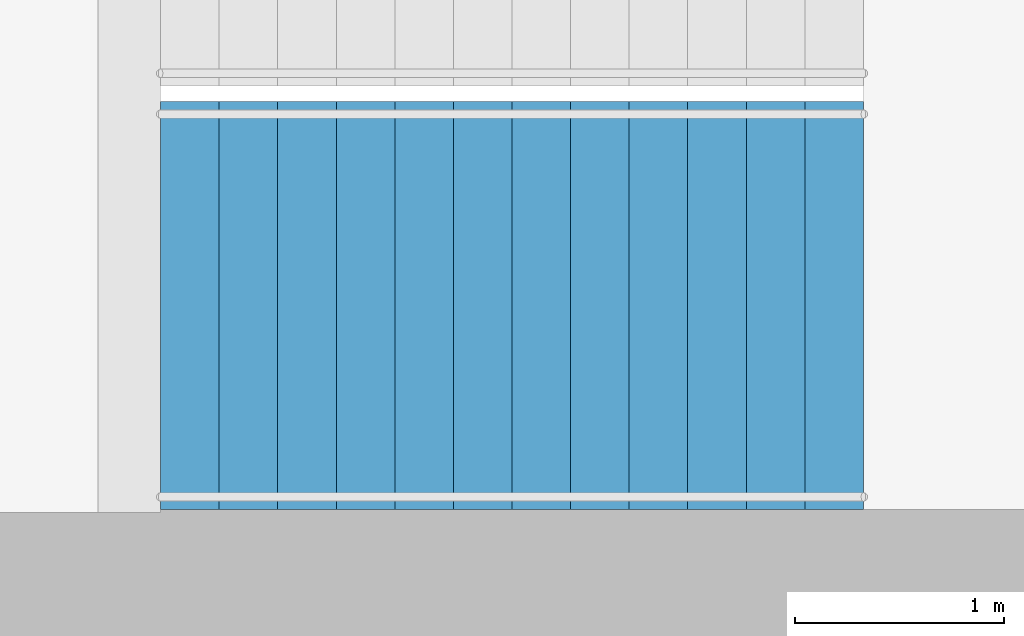
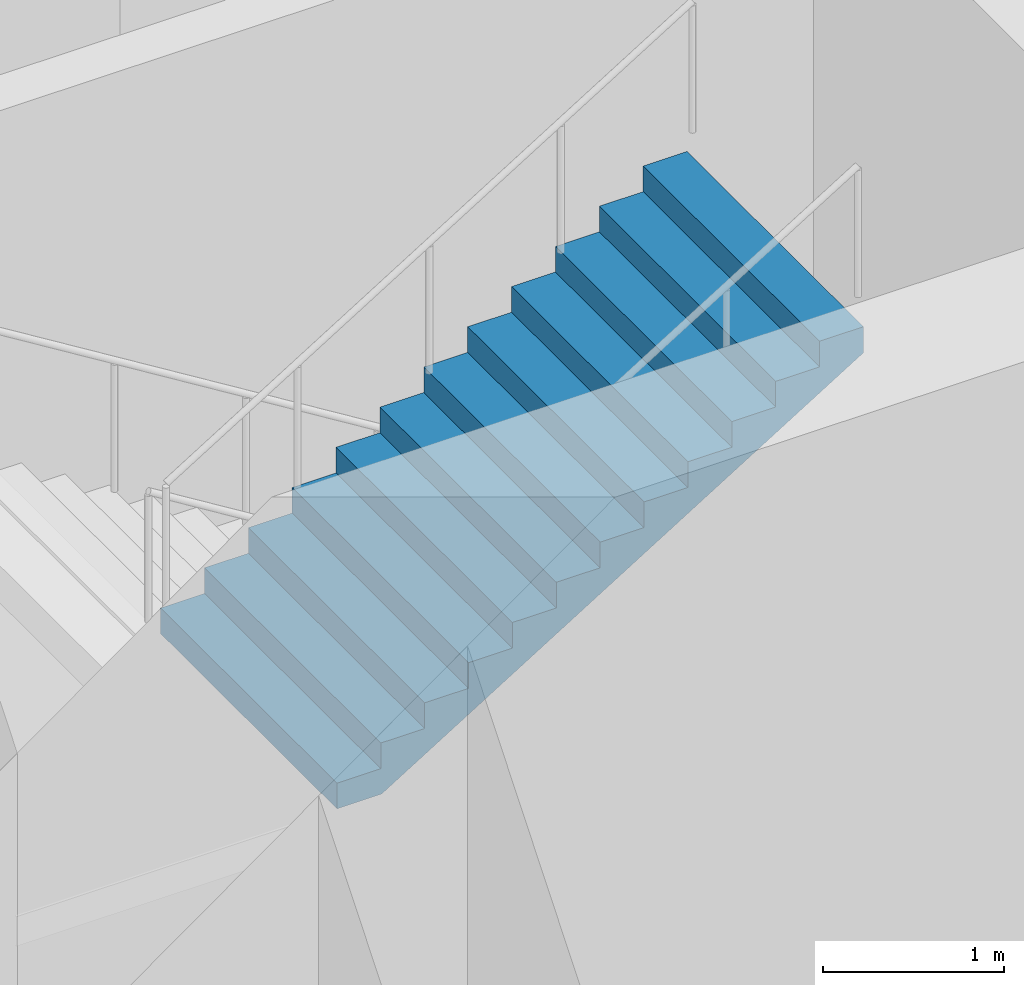
# One storey, part 21 of 32: 1 stair flight, 1 element without a shape of its own.
"""IFC4 building model written with IfcOpenShell, lengths in metres."""

from ifc_helpers import new_model, si_unit, direction, frame, origin, place, context, subcontext, project, spatial, triangles, material, type_object, element, aggregate, save


model = new_model("IFC4")

# Units and contexts
model_context = context("Model", 3, precision=1e-05, world=origin(), true_north=direction((0.0, 1.0)))
body_context = subcontext(model_context, "Body", "Model", "MODEL_VIEW")
ifc_project = project(units=[si_unit("LENGTHUNIT", "METRE"), si_unit("AREAUNIT", "SQUARE_METRE"), si_unit("VOLUMEUNIT", "CUBIC_METRE"), si_unit("PLANEANGLEUNIT", "RADIAN"), si_unit("MASSUNIT", "GRAM", prefix="KILO")], contexts=[model_context])

# Site, building, storey
site_placement = place(None, origin())
site = spatial("IfcSite", under=ifc_project, at=site_placement, CompositionType="ELEMENT")
building_placement = place(site_placement, origin())
building = spatial("IfcBuilding", under=site, at=building_placement, Name="Orbita Commons", CompositionType="ELEMENT")
storey_placement = place(building_placement, frame((0.0, 0.0, 140.35009765625)))
storey = spatial("IfcBuildingStorey", under=building, at=storey_placement, Name="L34", CompositionType="ELEMENT", Elevation=140.35009765625)

# Stair, stair flight
ifc_material_1 = material(Name="Precast concrete C40/50", Category="concrete")
stair_type = type_object("IfcStairType", Name="Exit stair S2 2 flights 13 risers 173", PredefinedType="HALF_TURN_STAIR", material=ifc_material_1)
stair_placement = place(storey_placement, origin())
stair = element("IfcStair", 1, at=stair_placement, inside=storey, type_object=stair_type, Name="Exit stair S2 L34", PredefinedType="HALF_TURN_STAIR")
ifc_material_2 = material(Name="Precast concrete C40/50", Category="concrete")
stair_flight_type = type_object("IfcStairFlightType", Name="Stair flight 13 risers 173 x 280", PredefinedType="STRAIGHT", material=ifc_material_2)
stair_flight_placement = place(storey_placement, frame((60.18994140625, 27.25, 2.25), z_axis=(0.0, 0.0, 1.0), x_axis=(1.0, 0.0, 0.0)))
stair_flight = element("IfcStairFlight", 2, at=stair_flight_placement, type_object=stair_flight_type, Name="S2 flight 2", NumberOfRisers=13, NumberOfTreads=12, PredefinedType="STRAIGHT", RiserHeight=0.173076923, TreadLength=0.28, context=body_context, shape_type="Tessellation", body=[
    triangles([(0.0, 0.974976, 0.0), (0.0, 0.974976, 0.021635), (0.0, 0.81248, 0.021635), (0.0, 0.81248, 0.0), (0.0, 0.649984, 0.021635), (0.0, 0.649984, 0.0), (0.0, 0.487488, 0.021635), (0.0, 0.487488, 0.0), (0.0, 0.324992, 0.021635), (0.0, 0.324992, 0.0), (0.0, 0.162496, 0.021635), (0.0, 0.162496, 0.0), (0.0, 0.0, 0.021635), (0.0, 0.0, 0.0), (0.0, -0.162496, 0.021635), (0.0, -0.162496, 0.0), (0.0, -0.324992, 0.021635), (0.0, -0.324992, 0.0), (0.0, -0.487488, 0.021635), (0.0, -0.487488, 0.0), (0.0, -0.649984, 0.021635), (0.0, -0.649984, 0.0), (0.0, -0.81248, 0.021635), (0.0, -0.81248, 0.0), (0.0, -0.974976, 0.021635), (0.0, -0.974976, 0.0), (0.0, 0.974976, 0.043269), (0.0, 0.81248, 0.043269), (0.0, 0.649984, 0.043269), (0.0, 0.487488, 0.043269), (0.0, 0.324992, 0.043269), (0.0, 0.162496, 0.043269), (0.0, 0.0, 0.043269), (0.0, -0.162496, 0.043269), (0.0, -0.324992, 0.043269), (0.0, -0.487488, 0.043269), (0.0, -0.649984, 0.043269), (0.0, -0.81248, 0.043269), (0.0, -0.974976, 0.043269), (0.0, 0.974976, 0.064904), (0.0, 0.81248, 0.064904), (0.0, 0.649984, 0.064904), (0.0, 0.487488, 0.064904), (0.0, 0.324992, 0.064904), (0.0, 0.162496, 0.064904), (0.0, 0.0, 0.064904), (0.0, -0.162496, 0.064904), (0.0, -0.324992, 0.064904), (0.0, -0.487488, 0.064904), (0.0, -0.649984, 0.064904), (0.0, -0.81248, 0.064904), (0.0, -0.974976, 0.064904), (0.0, 0.974976, 0.086538), (0.0, 0.81248, 0.086538), (0.0, 0.649984, 0.086538), (0.0, 0.487488, 0.086538), (0.0, 0.324992, 0.086538), (0.0, 0.162496, 0.086538), (0.0, 0.0, 0.086538), (0.0, -0.162496, 0.086538), (0.0, -0.324992, 0.086538), (0.0, -0.487488, 0.086538), (0.0, -0.649984, 0.086538), (0.0, -0.81248, 0.086538), (0.0, -0.974976, 0.086538), (0.0, 0.974976, 0.108173), (0.0, 0.81248, 0.108173), (0.0, 0.649984, 0.108173), (0.0, 0.487488, 0.108173), (0.0, 0.324992, 0.108173), (0.0, 0.162496, 0.108173), (0.0, 0.0, 0.108173), (0.0, -0.162496, 0.108173), (0.0, -0.324992, 0.108173), (0.0, -0.487488, 0.108173), (0.0, -0.649984, 0.108173), (0.0, -0.81248, 0.108173), (0.0, -0.974976, 0.108173), (0.0, 0.974976, 0.129808), (0.0, 0.81248, 0.129808), (0.0, 0.649984, 0.129808), (0.0, 0.487488, 0.129808), (0.0, 0.324992, 0.129808), (0.0, 0.162496, 0.129808), (0.0, 0.0, 0.129808), (0.0, -0.162496, 0.129808), (0.0, -0.324992, 0.129808), (0.0, -0.487488, 0.129808), (0.0, -0.649984, 0.129808), (0.0, -0.81248, 0.129808), (0.0, -0.974976, 0.129808), (0.0, 0.974976, 0.151442), (0.0, 0.81248, 0.151442), (0.0, 0.649984, 0.151442), (0.0, 0.487488, 0.151442), (0.0, 0.324992, 0.151442), (0.0, 0.162496, 0.151442), (0.0, 0.0, 0.151442), (0.0, -0.162496, 0.151442), (0.0, -0.324992, 0.151442), (0.0, -0.487488, 0.151442), (0.0, -0.649984, 0.151442), (0.0, -0.81248, 0.151442), (0.0, -0.974976, 0.151442), (0.0, 0.974976, 0.173077), (0.0, 0.81248, 0.173077), (0.0, 0.649984, 0.173077), (0.0, 0.487488, 0.173077), (0.0, 0.324992, 0.173077), (0.0, 0.162496, 0.173077), (0.0, 0.0, 0.173077), (0.0, -0.162496, 0.173077), (0.0, -0.324992, 0.173077), (0.0, -0.487488, 0.173077), (0.0, -0.649984, 0.173077), (0.0, -0.81248, 0.173077), (0.0, -0.974976, 0.173077), (0.28, 0.974976, 0.173077), (0.28, 0.81248, 0.173077), (0.28, 0.649984, 0.173077), (0.28, 0.487488, 0.173077), (0.28, 0.324992, 0.173077), (0.28, 0.162496, 0.173077), (0.28, 0.0, 0.173077), (0.28, -0.162496, 0.173077), (0.28, -0.324992, 0.173077), (0.28, -0.487488, 0.173077), (0.28, -0.649984, 0.173077), (0.28, -0.81248, 0.173077), (0.28, -0.974976, 0.173077), (0.28, 0.974976, 0.346154), (0.28, 0.81248, 0.346154), (0.28, 0.649984, 0.346154), (0.28, 0.487488, 0.346154), (0.28, 0.324992, 0.346154), (0.28, 0.162496, 0.346154), (0.28, 0.0, 0.346154), (0.28, -0.162496, 0.346154), (0.28, -0.324992, 0.346154), (0.28, -0.487488, 0.346154), (0.28, -0.649984, 0.346154), (0.28, -0.81248, 0.346154), (0.28, -0.974976, 0.346154), (0.56, 0.974976, 0.346154), (0.56, 0.81248, 0.346154), (0.56, 0.649984, 0.346154), (0.56, 0.487488, 0.346154), (0.56, 0.324992, 0.346154), (0.56, 0.162496, 0.346154), (0.56, 0.0, 0.346154), (0.56, -0.162496, 0.346154), (0.56, -0.324992, 0.346154), (0.56, -0.487488, 0.346154), (0.56, -0.649984, 0.346154), (0.56, -0.81248, 0.346154), (0.56, -0.974976, 0.346154), (0.56, 0.974976, 0.519231), (0.56, 0.81248, 0.519231), (0.56, 0.649984, 0.519231), (0.56, 0.487488, 0.519231), (0.56, 0.324992, 0.519231), (0.56, 0.162496, 0.519231), (0.56, 0.0, 0.519231), (0.56, -0.162496, 0.519231), (0.56, -0.324992, 0.519231), (0.56, -0.487488, 0.519231), (0.56, -0.649984, 0.519231), (0.56, -0.81248, 0.519231), (0.56, -0.974976, 0.519231), (0.84, 0.974976, 0.519231), (0.84, 0.81248, 0.519231), (0.84, 0.649984, 0.519231), (0.84, 0.487488, 0.519231), (0.84, 0.324992, 0.519231), (0.84, 0.162496, 0.519231), (0.84, 0.0, 0.519231), (0.84, -0.162496, 0.519231), (0.84, -0.324992, 0.519231), (0.84, -0.487488, 0.519231), (0.84, -0.649984, 0.519231), (0.84, -0.81248, 0.519231), (0.84, -0.974976, 0.519231), (0.84, 0.974976, 0.692308), (0.84, 0.81248, 0.692308), (0.84, 0.649984, 0.692308), (0.84, 0.487488, 0.692308), (0.84, 0.324992, 0.692308), (0.84, 0.162496, 0.692308), (0.84, 0.0, 0.692308), (0.84, -0.162496, 0.692308), (0.84, -0.324992, 0.692308), (0.84, -0.487488, 0.692308), (0.84, -0.649984, 0.692308), (0.84, -0.81248, 0.692308), (0.84, -0.974976, 0.692308), (1.12, 0.974976, 0.692308), (1.12, 0.81248, 0.692308), (1.12, 0.649984, 0.692308), (1.12, 0.487488, 0.692308), (1.12, 0.324992, 0.692308), (1.12, 0.162496, 0.692308), (1.12, 0.0, 0.692308), (1.12, -0.162496, 0.692308), (1.12, -0.324992, 0.692308), (1.12, -0.487488, 0.692308), (1.12, -0.649984, 0.692308), (1.12, -0.81248, 0.692308), (1.12, -0.974976, 0.692308), (1.12, 0.974976, 0.865385), (1.12, 0.81248, 0.865385), (1.12, 0.649984, 0.865385), (1.12, 0.487488, 0.865385), (1.12, 0.324992, 0.865385), (1.12, 0.162496, 0.865385), (1.12, 0.0, 0.865385), (1.12, -0.162496, 0.865385), (1.12, -0.324992, 0.865385), (1.12, -0.487488, 0.865385), (1.12, -0.649984, 0.865385), (1.12, -0.81248, 0.865385), (1.12, -0.974976, 0.865385), (1.4, 0.974976, 0.865385), (1.4, 0.81248, 0.865385), (1.4, 0.649984, 0.865385), (1.4, 0.487488, 0.865385), (1.4, 0.324992, 0.865385), (1.4, 0.162496, 0.865385), (1.4, 0.0, 0.865385), (1.4, -0.162496, 0.865385), (1.4, -0.324992, 0.865385), (1.4, -0.487488, 0.865385), (1.4, -0.649984, 0.865385), (1.4, -0.81248, 0.865385), (1.4, -0.974976, 0.865385), (1.4, 0.974976, 1.038462), (1.4, 0.81248, 1.038462), (1.4, 0.649984, 1.038462), (1.4, 0.487488, 1.038462), (1.4, 0.324992, 1.038462), (1.4, 0.162496, 1.038462), (1.4, 0.0, 1.038462), (1.4, -0.162496, 1.038462), (1.4, -0.324992, 1.038462), (1.4, -0.487488, 1.038462), (1.4, -0.649984, 1.038462), (1.4, -0.81248, 1.038462), (1.4, -0.974976, 1.038462), (1.68, 0.974976, 1.038462), (1.68, 0.81248, 1.038462), (1.68, 0.649984, 1.038462), (1.68, 0.487488, 1.038462), (1.68, 0.324992, 1.038462), (1.68, 0.162496, 1.038462), (1.68, 0.0, 1.038462), (1.68, -0.162496, 1.038462), (1.68, -0.324992, 1.038462), (1.68, -0.487488, 1.038462), (1.68, -0.649984, 1.038462), (1.68, -0.81248, 1.038462), (1.68, -0.974976, 1.038462), (1.68, 0.974976, 1.211538), (1.68, 0.81248, 1.211538), (1.68, 0.649984, 1.211538), (1.68, 0.487488, 1.211538), (1.68, 0.324992, 1.211538), (1.68, 0.162496, 1.211538), (1.68, 0.0, 1.211538), (1.68, -0.162496, 1.211538), (1.68, -0.324992, 1.211538), (1.68, -0.487488, 1.211538), (1.68, -0.649984, 1.211538), (1.68, -0.81248, 1.211538), (1.68, -0.974976, 1.211538), (1.96, 0.974976, 1.211538), (1.96, 0.81248, 1.211538), (1.96, 0.649984, 1.211538), (1.96, 0.487488, 1.211538), (1.96, 0.324992, 1.211538), (1.96, 0.162496, 1.211538), (1.96, 0.0, 1.211538), (1.96, -0.162496, 1.211538), (1.96, -0.324992, 1.211538), (1.96, -0.487488, 1.211538), (1.96, -0.649984, 1.211538), (1.96, -0.81248, 1.211538), (1.96, -0.974976, 1.211538), (1.96, 0.974976, 1.384615), (1.96, 0.81248, 1.384615), (1.96, 0.649984, 1.384615), (1.96, 0.487488, 1.384615), (1.96, 0.324992, 1.384615), (1.96, 0.162496, 1.384615), (1.96, 0.0, 1.384615), (1.96, -0.162496, 1.384615), (1.96, -0.324992, 1.384615), (1.96, -0.487488, 1.384615), (1.96, -0.649984, 1.384615), (1.96, -0.81248, 1.384615), (1.96, -0.974976, 1.384615), (2.24, 0.974976, 1.384615), (2.24, 0.81248, 1.384615), (2.24, 0.649984, 1.384615), (2.24, 0.487488, 1.384615), (2.24, 0.324992, 1.384615), (2.24, 0.162496, 1.384615), (2.24, 0.0, 1.384615), (2.24, -0.162496, 1.384615), (2.24, -0.324992, 1.384615), (2.24, -0.487488, 1.384615), (2.24, -0.649984, 1.384615), (2.24, -0.81248, 1.384615), (2.24, -0.974976, 1.384615), (2.24, 0.974976, 1.557692), (2.24, 0.81248, 1.557692), (2.24, 0.649984, 1.557692), (2.24, 0.487488, 1.557692), (2.24, 0.324992, 1.557692), (2.24, 0.162496, 1.557692), (2.24, 0.0, 1.557692), (2.24, -0.162496, 1.557692), (2.24, -0.324992, 1.557692), (2.24, -0.487488, 1.557692), (2.24, -0.649984, 1.557692), (2.24, -0.81248, 1.557692), (2.24, -0.974976, 1.557692), (2.52, 0.974976, 1.557692), (2.52, 0.81248, 1.557692), (2.52, 0.649984, 1.557692), (2.52, 0.487488, 1.557692), (2.52, 0.324992, 1.557692), (2.52, 0.162496, 1.557692), (2.52, 0.0, 1.557692), (2.52, -0.162496, 1.557692), (2.52, -0.324992, 1.557692), (2.52, -0.487488, 1.557692), (2.52, -0.649984, 1.557692), (2.52, -0.81248, 1.557692), (2.52, -0.974976, 1.557692), (2.52, 0.974976, 1.730769), (2.52, 0.81248, 1.730769), (2.52, 0.649984, 1.730769), (2.52, 0.487488, 1.730769), (2.52, 0.324992, 1.730769), (2.52, 0.162496, 1.730769), (2.52, 0.0, 1.730769), (2.52, -0.162496, 1.730769), (2.52, -0.324992, 1.730769), (2.52, -0.487488, 1.730769), (2.52, -0.649984, 1.730769), (2.52, -0.81248, 1.730769), (2.52, -0.974976, 1.730769), (2.8, 0.974976, 1.730769), (2.8, 0.81248, 1.730769), (2.8, 0.649984, 1.730769), (2.8, 0.487488, 1.730769), (2.8, 0.324992, 1.730769), (2.8, 0.162496, 1.730769), (2.8, 0.0, 1.730769), (2.8, -0.162496, 1.730769), (2.8, -0.324992, 1.730769), (2.8, -0.487488, 1.730769), (2.8, -0.649984, 1.730769), (2.8, -0.81248, 1.730769), (2.8, -0.974976, 1.730769), (2.8, 0.974976, 1.903846), (2.8, 0.81248, 1.903846), (2.8, 0.649984, 1.903846), (2.8, 0.487488, 1.903846), (2.8, 0.324992, 1.903846), (2.8, 0.162496, 1.903846), (2.8, 0.0, 1.903846), (2.8, -0.162496, 1.903846), (2.8, -0.324992, 1.903846), (2.8, -0.487488, 1.903846), (2.8, -0.649984, 1.903846), (2.8, -0.81248, 1.903846), (2.8, -0.974976, 1.903846), (3.08, 0.974976, 1.903846), (3.08, 0.81248, 1.903846), (3.08, 0.649984, 1.903846), (3.08, 0.487488, 1.903846), (3.08, 0.324992, 1.903846), (3.08, 0.162496, 1.903846), (3.08, 0.0, 1.903846), (3.08, -0.162496, 1.903846), (3.08, -0.324992, 1.903846), (3.08, -0.487488, 1.903846), (3.08, -0.649984, 1.903846), (3.08, -0.81248, 1.903846), (3.08, -0.974976, 1.903846), (3.08, 0.974976, 2.076923), (3.08, 0.81248, 2.076923), (3.08, 0.649984, 2.076923), (3.08, 0.487488, 2.076923), (3.08, 0.324992, 2.076923), (3.08, 0.162496, 2.076923), (3.08, 0.0, 2.076923), (3.08, -0.162496, 2.076923), (3.08, -0.324992, 2.076923), (3.08, -0.487488, 2.076923), (3.08, -0.649984, 2.076923), (3.08, -0.81248, 2.076923), (3.08, -0.974976, 2.076923), (3.36, 0.974976, 2.076923), (3.36, 0.81248, 2.076923), (3.36, 0.649984, 2.076923), (3.36, 0.487488, 2.076923), (3.36, 0.324992, 2.076923), (3.36, 0.162496, 2.076923), (3.36, 0.0, 2.076923), (3.36, -0.162496, 2.076923), (3.36, -0.324992, 2.076923), (3.36, -0.487488, 2.076923), (3.36, -0.649984, 2.076923), (3.36, -0.81248, 2.076923), (3.36, -0.974976, 2.076923), (3.36, 0.974976, 2.054895), (3.36, 0.81248, 2.054895), (3.36, 0.649984, 2.054895), (3.36, 0.487488, 2.054895), (3.36, 0.324992, 2.054895), (3.36, 0.162496, 2.054895), (3.36, 0.0, 2.054895), (3.36, -0.162496, 2.054895), (3.36, -0.324992, 2.054895), (3.36, -0.487488, 2.054895), (3.36, -0.649984, 2.054895), (3.36, -0.81248, 2.054895), (3.36, -0.974976, 2.054895), (3.36, 0.974976, 2.032866), (3.36, 0.81248, 2.032866), (3.36, 0.649984, 2.032866), (3.36, 0.487488, 2.032866), (3.36, 0.324992, 2.032866), (3.36, 0.162496, 2.032866), (3.36, 0.0, 2.032866), (3.36, -0.162496, 2.032866), (3.36, -0.324992, 2.032866), (3.36, -0.487488, 2.032866), (3.36, -0.649984, 2.032866), (3.36, -0.81248, 2.032866), (3.36, -0.974976, 2.032866), (3.36, 0.974976, 2.010837), (3.36, 0.81248, 2.010837), (3.36, 0.649984, 2.010837), (3.36, 0.487488, 2.010837), (3.36, 0.324992, 2.010837), (3.36, 0.162496, 2.010837), (3.36, 0.0, 2.010837), (3.36, -0.162496, 2.010837), (3.36, -0.324992, 2.010837), (3.36, -0.487488, 2.010837), (3.36, -0.649984, 2.010837), (3.36, -0.81248, 2.010837), (3.36, -0.974976, 2.010837), (3.36, 0.974976, 1.988809), (3.36, 0.81248, 1.988809), (3.36, 0.649984, 1.988809), (3.36, 0.487488, 1.988809), (3.36, 0.324992, 1.988809), (3.36, 0.162496, 1.988809), (3.36, 0.0, 1.988809), (3.36, -0.162496, 1.988809), (3.36, -0.324992, 1.988809), (3.36, -0.487488, 1.988809), (3.36, -0.649984, 1.988809), (3.36, -0.81248, 1.988809), (3.36, -0.974976, 1.988809), (3.36, 0.974976, 1.96678), (3.36, 0.81248, 1.96678), (3.36, 0.649984, 1.96678), (3.36, 0.487488, 1.96678), (3.36, 0.324992, 1.96678), (3.36, 0.162496, 1.96678), (3.36, 0.0, 1.96678), (3.36, -0.162496, 1.96678), (3.36, -0.324992, 1.96678), (3.36, -0.487488, 1.96678), (3.36, -0.649984, 1.96678), (3.36, -0.81248, 1.96678), (3.36, -0.974976, 1.96678), (3.36, 0.974976, 1.944752), (3.36, 0.81248, 1.944752), (3.36, 0.649984, 1.944752), (3.36, 0.487488, 1.944752), (3.36, 0.324992, 1.944752), (3.36, 0.162496, 1.944752), (3.36, 0.0, 1.944752), (3.36, -0.162496, 1.944752), (3.36, -0.324992, 1.944752), (3.36, -0.487488, 1.944752), (3.36, -0.649984, 1.944752), (3.36, -0.81248, 1.944752), (3.36, -0.974976, 1.944752), (3.36, 0.974976, 1.922723), (3.36, 0.81248, 1.922723), (3.36, 0.649984, 1.922723), (3.36, 0.487488, 1.922723), (3.36, 0.324992, 1.922723), (3.36, 0.162496, 1.922723), (3.36, 0.0, 1.922723), (3.36, -0.162496, 1.922723), (3.36, -0.324992, 1.922723), (3.36, -0.487488, 1.922723), (3.36, -0.649984, 1.922723), (3.36, -0.81248, 1.922723), (3.36, -0.974976, 1.922723), (3.36, 0.974976, 1.900695), (3.36, 0.81248, 1.900695), (3.36, 0.649984, 1.900695), (3.36, 0.487488, 1.900695), (3.36, 0.324992, 1.900695), (3.36, 0.162496, 1.900695), (3.36, 0.0, 1.900695), (3.36, -0.162496, 1.900695), (3.36, -0.324992, 1.900695), (3.36, -0.487488, 1.900695), (3.36, -0.649984, 1.900695), (3.36, -0.81248, 1.900695), (3.36, -0.974976, 1.900695), (0.285099, 0.974976, 0.0), (0.285099, 0.81248, 0.0), (0.285099, 0.649984, 0.0), (0.285099, 0.487488, 0.0), (0.285099, 0.324992, 0.0), (0.285099, 0.162496, 0.0), (0.285099, 0.0, 0.0), (0.285099, -0.162496, 0.0), (0.285099, -0.324992, 0.0), (0.285099, -0.487488, 0.0), (0.285099, -0.649984, 0.0), (0.285099, -0.81248, 0.0), (0.285099, -0.974976, 0.0)], [[3, 2, 1], [4, 3, 1], [5, 3, 4], [6, 5, 4], [7, 5, 6], [8, 7, 6], [9, 7, 8], [10, 9, 8], [11, 9, 10], [12, 11, 10], [13, 11, 12], [14, 13, 12], [15, 13, 14], [16, 15, 14], [17, 15, 16], [18, 17, 16], [19, 17, 18], [20, 19, 18], [21, 19, 20], [22, 21, 20], [23, 21, 22], [24, 23, 22], [25, 23, 24], [26, 25, 24], [28, 27, 2], [3, 28, 2], [29, 28, 3], [5, 29, 3], [30, 29, 5], [7, 30, 5], [31, 30, 7], [9, 31, 7], [32, 31, 9], [11, 32, 9], [33, 32, 11], [13, 33, 11], [34, 33, 13], [15, 34, 13], [35, 34, 15], [17, 35, 15], [36, 35, 17], [19, 36, 17], [37, 36, 19], [21, 37, 19], [38, 37, 21], [23, 38, 21], [39, 38, 23], [25, 39, 23], [41, 40, 27], [28, 41, 27], [42, 41, 28], [29, 42, 28], [43, 42, 29], [30, 43, 29], [44, 43, 30], [31, 44, 30], [45, 44, 31], [32, 45, 31], [46, 45, 32], [33, 46, 32], [47, 46, 33], [34, 47, 33], [48, 47, 34], [35, 48, 34], [49, 48, 35], [36, 49, 35], [50, 49, 36], [37, 50, 36], [51, 50, 37], [38, 51, 37], [52, 51, 38], [39, 52, 38], [54, 53, 40], [41, 54, 40], [55, 54, 41], [42, 55, 41], [56, 55, 42], [43, 56, 42], [57, 56, 43], [44, 57, 43], [58, 57, 44], [45, 58, 44], [59, 58, 45], [46, 59, 45], [60, 59, 46], [47, 60, 46], [61, 60, 47], [48, 61, 47], [62, 61, 48], [49, 62, 48], [63, 62, 49], [50, 63, 49], [64, 63, 50], [51, 64, 50], [65, 64, 51], [52, 65, 51], [67, 66, 53], [54, 67, 53], [68, 67, 54], [55, 68, 54], [69, 68, 55], [56, 69, 55], [70, 69, 56], [57, 70, 56], [71, 70, 57], [58, 71, 57], [72, 71, 58], [59, 72, 58], [73, 72, 59], [60, 73, 59], [74, 73, 60], [61, 74, 60], [75, 74, 61], [62, 75, 61], [76, 75, 62], [63, 76, 62], [77, 76, 63], [64, 77, 63], [78, 77, 64], [65, 78, 64], [80, 79, 66], [67, 80, 66], [81, 80, 67], [68, 81, 67], [82, 81, 68], [69, 82, 68], [83, 82, 69], [70, 83, 69], [84, 83, 70], [71, 84, 70], [85, 84, 71], [72, 85, 71], [86, 85, 72], [73, 86, 72], [87, 86, 73], [74, 87, 73], [88, 87, 74], [75, 88, 74], [89, 88, 75], [76, 89, 75], [90, 89, 76], [77, 90, 76], [91, 90, 77], [78, 91, 77], [93, 92, 79], [80, 93, 79], [94, 93, 80], [81, 94, 80], [95, 94, 81], [82, 95, 81], [96, 95, 82], [83, 96, 82], [97, 96, 83], [84, 97, 83], [98, 97, 84], [85, 98, 84], [99, 98, 85], [86, 99, 85], [100, 99, 86], [87, 100, 86], [101, 100, 87], [88, 101, 87], [102, 101, 88], [89, 102, 88], [103, 102, 89], [90, 103, 89], [104, 103, 90], [91, 104, 90], [106, 105, 92], [93, 106, 92], [107, 106, 93], [94, 107, 93], [108, 107, 94], [95, 108, 94], [109, 108, 95], [96, 109, 95], [110, 109, 96], [97, 110, 96], [111, 110, 97], [98, 111, 97], [112, 111, 98], [99, 112, 98], [113, 112, 99], [100, 113, 99], [114, 113, 100], [101, 114, 100], [115, 114, 101], [102, 115, 101], [116, 115, 102], [103, 116, 102], [117, 116, 103], [104, 117, 103], [119, 118, 105], [106, 119, 105], [120, 119, 106], [107, 120, 106], [121, 120, 107], [108, 121, 107], [122, 121, 108], [109, 122, 108], [123, 122, 109], [110, 123, 109], [124, 123, 110], [111, 124, 110], [125, 124, 111], [112, 125, 111], [126, 125, 112], [113, 126, 112], [127, 126, 113], [114, 127, 113], [128, 127, 114], [115, 128, 114], [129, 128, 115], [116, 129, 115], [130, 129, 116], [117, 130, 116], [132, 131, 118], [119, 132, 118], [133, 132, 119], [120, 133, 119], [134, 133, 120], [121, 134, 120], [135, 134, 121], [122, 135, 121], [136, 135, 122], [123, 136, 122], [137, 136, 123], [124, 137, 123], [138, 137, 124], [125, 138, 124], [139, 138, 125], [126, 139, 125], [140, 139, 126], [127, 140, 126], [141, 140, 127], [128, 141, 127], [142, 141, 128], [129, 142, 128], [143, 142, 129], [130, 143, 129], [145, 144, 131], [132, 145, 131], [146, 145, 132], [133, 146, 132], [147, 146, 133], [134, 147, 133], [148, 147, 134], [135, 148, 134], [149, 148, 135], [136, 149, 135], [150, 149, 136], [137, 150, 136], [151, 150, 137], [138, 151, 137], [152, 151, 138], [139, 152, 138], [153, 152, 139], [140, 153, 139], [154, 153, 140], [141, 154, 140], [155, 154, 141], [142, 155, 141], [156, 155, 142], [143, 156, 142], [158, 157, 144], [145, 158, 144], [159, 158, 145], [146, 159, 145], [160, 159, 146], [147, 160, 146], [161, 160, 147], [148, 161, 147], [162, 161, 148], [149, 162, 148], [163, 162, 149], [150, 163, 149], [164, 163, 150], [151, 164, 150], [165, 164, 151], [152, 165, 151], [166, 165, 152], [153, 166, 152], [167, 166, 153], [154, 167, 153], [168, 167, 154], [155, 168, 154], [169, 168, 155], [156, 169, 155], [171, 170, 157], [158, 171, 157], [172, 171, 158], [159, 172, 158], [173, 172, 159], [160, 173, 159], [174, 173, 160], [161, 174, 160], [175, 174, 161], [162, 175, 161], [176, 175, 162], [163, 176, 162], [177, 176, 163], [164, 177, 163], [178, 177, 164], [165, 178, 164], [179, 178, 165], [166, 179, 165], [180, 179, 166], [167, 180, 166], [181, 180, 167], [168, 181, 167], [182, 181, 168], [169, 182, 168], [184, 183, 170], [171, 184, 170], [185, 184, 171], [172, 185, 171], [186, 185, 172], [173, 186, 172], [187, 186, 173], [174, 187, 173], [188, 187, 174], [175, 188, 174], [189, 188, 175], [176, 189, 175], [190, 189, 176], [177, 190, 176], [191, 190, 177], [178, 191, 177], [192, 191, 178], [179, 192, 178], [193, 192, 179], [180, 193, 179], [194, 193, 180], [181, 194, 180], [195, 194, 181], [182, 195, 181], [197, 196, 183], [184, 197, 183], [198, 197, 184], [185, 198, 184], [199, 198, 185], [186, 199, 185], [200, 199, 186], [187, 200, 186], [201, 200, 187], [188, 201, 187], [202, 201, 188], [189, 202, 188], [203, 202, 189], [190, 203, 189], [204, 203, 190], [191, 204, 190], [205, 204, 191], [192, 205, 191], [206, 205, 192], [193, 206, 192], [207, 206, 193], [194, 207, 193], [208, 207, 194], [195, 208, 194], [210, 209, 196], [197, 210, 196], [211, 210, 197], [198, 211, 197], [212, 211, 198], [199, 212, 198], [213, 212, 199], [200, 213, 199], [214, 213, 200], [201, 214, 200], [215, 214, 201], [202, 215, 201], [216, 215, 202], [203, 216, 202], [217, 216, 203], [204, 217, 203], [218, 217, 204], [205, 218, 204], [219, 218, 205], [206, 219, 205], [220, 219, 206], [207, 220, 206], [221, 220, 207], [208, 221, 207], [223, 222, 209], [210, 223, 209], [224, 223, 210], [211, 224, 210], [225, 224, 211], [212, 225, 211], [226, 225, 212], [213, 226, 212], [227, 226, 213], [214, 227, 213], [228, 227, 214], [215, 228, 214], [229, 228, 215], [216, 229, 215], [230, 229, 216], [217, 230, 216], [231, 230, 217], [218, 231, 217], [232, 231, 218], [219, 232, 218], [233, 232, 219], [220, 233, 219], [234, 233, 220], [221, 234, 220], [236, 235, 222], [223, 236, 222], [237, 236, 223], [224, 237, 223], [238, 237, 224], [225, 238, 224], [239, 238, 225], [226, 239, 225], [240, 239, 226], [227, 240, 226], [241, 240, 227], [228, 241, 227], [242, 241, 228], [229, 242, 228], [243, 242, 229], [230, 243, 229], [244, 243, 230], [231, 244, 230], [245, 244, 231], [232, 245, 231], [246, 245, 232], [233, 246, 232], [247, 246, 233], [234, 247, 233], [249, 248, 235], [236, 249, 235], [250, 249, 236], [237, 250, 236], [251, 250, 237], [238, 251, 237], [252, 251, 238], [239, 252, 238], [253, 252, 239], [240, 253, 239], [254, 253, 240], [241, 254, 240], [255, 254, 241], [242, 255, 241], [256, 255, 242], [243, 256, 242], [257, 256, 243], [244, 257, 243], [258, 257, 244], [245, 258, 244], [259, 258, 245], [246, 259, 245], [260, 259, 246], [247, 260, 246], [262, 261, 248], [249, 262, 248], [263, 262, 249], [250, 263, 249], [264, 263, 250], [251, 264, 250], [265, 264, 251], [252, 265, 251], [266, 265, 252], [253, 266, 252], [267, 266, 253], [254, 267, 253], [268, 267, 254], [255, 268, 254], [269, 268, 255], [256, 269, 255], [270, 269, 256], [257, 270, 256], [271, 270, 257], [258, 271, 257], [272, 271, 258], [259, 272, 258], [273, 272, 259], [260, 273, 259], [275, 274, 261], [262, 275, 261], [276, 275, 262], [263, 276, 262], [277, 276, 263], [264, 277, 263], [278, 277, 264], [265, 278, 264], [279, 278, 265], [266, 279, 265], [280, 279, 266], [267, 280, 266], [281, 280, 267], [268, 281, 267], [282, 281, 268], [269, 282, 268], [283, 282, 269], [270, 283, 269], [284, 283, 270], [271, 284, 270], [285, 284, 271], [272, 285, 271], [286, 285, 272], [273, 286, 272], [288, 287, 274], [275, 288, 274], [289, 288, 275], [276, 289, 275], [290, 289, 276], [277, 290, 276], [291, 290, 277], [278, 291, 277], [292, 291, 278], [279, 292, 278], [293, 292, 279], [280, 293, 279], [294, 293, 280], [281, 294, 280], [295, 294, 281], [282, 295, 281], [296, 295, 282], [283, 296, 282], [297, 296, 283], [284, 297, 283], [298, 297, 284], [285, 298, 284], [299, 298, 285], [286, 299, 285], [301, 300, 287], [288, 301, 287], [302, 301, 288], [289, 302, 288], [303, 302, 289], [290, 303, 289], [304, 303, 290], [291, 304, 290], [305, 304, 291], [292, 305, 291], [306, 305, 292], [293, 306, 292], [307, 306, 293], [294, 307, 293], [308, 307, 294], [295, 308, 294], [309, 308, 295], [296, 309, 295], [310, 309, 296], [297, 310, 296], [311, 310, 297], [298, 311, 297], [312, 311, 298], [299, 312, 298], [314, 313, 300], [301, 314, 300], [315, 314, 301], [302, 315, 301], [316, 315, 302], [303, 316, 302], [317, 316, 303], [304, 317, 303], [318, 317, 304], [305, 318, 304], [319, 318, 305], [306, 319, 305], [320, 319, 306], [307, 320, 306], [321, 320, 307], [308, 321, 307], [322, 321, 308], [309, 322, 308], [323, 322, 309], [310, 323, 309], [324, 323, 310], [311, 324, 310], [325, 324, 311], [312, 325, 311], [327, 326, 313], [314, 327, 313], [328, 327, 314], [315, 328, 314], [329, 328, 315], [316, 329, 315], [330, 329, 316], [317, 330, 316], [331, 330, 317], [318, 331, 317], [332, 331, 318], [319, 332, 318], [333, 332, 319], [320, 333, 319], [334, 333, 320], [321, 334, 320], [335, 334, 321], [322, 335, 321], [336, 335, 322], [323, 336, 322], [337, 336, 323], [324, 337, 323], [338, 337, 324], [325, 338, 324], [340, 339, 326], [327, 340, 326], [341, 340, 327], [328, 341, 327], [342, 341, 328], [329, 342, 328], [343, 342, 329], [330, 343, 329], [344, 343, 330], [331, 344, 330], [345, 344, 331], [332, 345, 331], [346, 345, 332], [333, 346, 332], [347, 346, 333], [334, 347, 333], [348, 347, 334], [335, 348, 334], [349, 348, 335], [336, 349, 335], [350, 349, 336], [337, 350, 336], [351, 350, 337], [338, 351, 337], [353, 352, 339], [340, 353, 339], [354, 353, 340], [341, 354, 340], [355, 354, 341], [342, 355, 341], [356, 355, 342], [343, 356, 342], [357, 356, 343], [344, 357, 343], [358, 357, 344], [345, 358, 344], [359, 358, 345], [346, 359, 345], [360, 359, 346], [347, 360, 346], [361, 360, 347], [348, 361, 347], [362, 361, 348], [349, 362, 348], [363, 362, 349], [350, 363, 349], [364, 363, 350], [351, 364, 350], [366, 365, 352], [353, 366, 352], [367, 366, 353], [354, 367, 353], [368, 367, 354], [355, 368, 354], [369, 368, 355], [356, 369, 355], [370, 369, 356], [357, 370, 356], [371, 370, 357], [358, 371, 357], [372, 371, 358], [359, 372, 358], [373, 372, 359], [360, 373, 359], [374, 373, 360], [361, 374, 360], [375, 374, 361], [362, 375, 361], [376, 375, 362], [363, 376, 362], [377, 376, 363], [364, 377, 363], [379, 378, 365], [366, 379, 365], [380, 379, 366], [367, 380, 366], [381, 380, 367], [368, 381, 367], [382, 381, 368], [369, 382, 368], [383, 382, 369], [370, 383, 369], [384, 383, 370], [371, 384, 370], [385, 384, 371], [372, 385, 371], [386, 385, 372], [373, 386, 372], [387, 386, 373], [374, 387, 373], [388, 387, 374], [375, 388, 374], [389, 388, 375], [376, 389, 375], [390, 389, 376], [377, 390, 376], [392, 391, 378], [379, 392, 378], [393, 392, 379], [380, 393, 379], [394, 393, 380], [381, 394, 380], [395, 394, 381], [382, 395, 381], [396, 395, 382], [383, 396, 382], [397, 396, 383], [384, 397, 383], [398, 397, 384], [385, 398, 384], [399, 398, 385], [386, 399, 385], [400, 399, 386], [387, 400, 386], [401, 400, 387], [388, 401, 387], [402, 401, 388], [389, 402, 388], [403, 402, 389], [390, 403, 389], [405, 404, 391], [392, 405, 391], [406, 405, 392], [393, 406, 392], [407, 406, 393], [394, 407, 393], [408, 407, 394], [395, 408, 394], [409, 408, 395], [396, 409, 395], [410, 409, 396], [397, 410, 396], [411, 410, 397], [398, 411, 397], [412, 411, 398], [399, 412, 398], [413, 412, 399], [400, 413, 399], [414, 413, 400], [401, 414, 400], [415, 414, 401], [402, 415, 401], [416, 415, 402], [403, 416, 402], [418, 417, 404], [405, 418, 404], [419, 418, 405], [406, 419, 405], [420, 419, 406], [407, 420, 406], [421, 420, 407], [408, 421, 407], [422, 421, 408], [409, 422, 408], [423, 422, 409], [410, 423, 409], [424, 423, 410], [411, 424, 410], [425, 424, 411], [412, 425, 411], [426, 425, 412], [413, 426, 412], [427, 426, 413], [414, 427, 413], [428, 427, 414], [415, 428, 414], [429, 428, 415], [416, 429, 415], [431, 430, 417], [418, 431, 417], [432, 431, 418], [419, 432, 418], [433, 432, 419], [420, 433, 419], [434, 433, 420], [421, 434, 420], [435, 434, 421], [422, 435, 421], [436, 435, 422], [423, 436, 422], [437, 436, 423], [424, 437, 423], [438, 437, 424], [425, 438, 424], [439, 438, 425], [426, 439, 425], [440, 439, 426], [427, 440, 426], [441, 440, 427], [428, 441, 427], [442, 441, 428], [429, 442, 428], [444, 443, 430], [431, 444, 430], [445, 444, 431], [432, 445, 431], [446, 445, 432], [433, 446, 432], [447, 446, 433], [434, 447, 433], [448, 447, 434], [435, 448, 434], [449, 448, 435], [436, 449, 435], [450, 449, 436], [437, 450, 436], [451, 450, 437], [438, 451, 437], [452, 451, 438], [439, 452, 438], [453, 452, 439], [440, 453, 439], [454, 453, 440], [441, 454, 440], [455, 454, 441], [442, 455, 441], [457, 456, 443], [444, 457, 443], [458, 457, 444], [445, 458, 444], [459, 458, 445], [446, 459, 445], [460, 459, 446], [447, 460, 446], [461, 460, 447], [448, 461, 447], [462, 461, 448], [449, 462, 448], [463, 462, 449], [450, 463, 449], [464, 463, 450], [451, 464, 450], [465, 464, 451], [452, 465, 451], [466, 465, 452], [453, 466, 452], [467, 466, 453], [454, 467, 453], [468, 467, 454], [455, 468, 454], [470, 469, 456], [457, 470, 456], [471, 470, 457], [458, 471, 457], [472, 471, 458], [459, 472, 458], [473, 472, 459], [460, 473, 459], [474, 473, 460], [461, 474, 460], [475, 474, 461], [462, 475, 461], [476, 475, 462], [463, 476, 462], [477, 476, 463], [464, 477, 463], [478, 477, 464], [465, 478, 464], [479, 478, 465], [466, 479, 465], [480, 479, 466], [467, 480, 466], [481, 480, 467], [468, 481, 467], [483, 482, 469], [470, 483, 469], [484, 483, 470], [471, 484, 470], [485, 484, 471], [472, 485, 471], [486, 485, 472], [473, 486, 472], [487, 486, 473], [474, 487, 473], [488, 487, 474], [475, 488, 474], [489, 488, 475], [476, 489, 475], [490, 489, 476], [477, 490, 476], [491, 490, 477], [478, 491, 477], [492, 491, 478], [479, 492, 478], [493, 492, 479], [480, 493, 479], [494, 493, 480], [481, 494, 480], [496, 495, 482], [483, 496, 482], [497, 496, 483], [484, 497, 483], [498, 497, 484], [485, 498, 484], [499, 498, 485], [486, 499, 485], [500, 499, 486], [487, 500, 486], [501, 500, 487], [488, 501, 487], [502, 501, 488], [489, 502, 488], [503, 502, 489], [490, 503, 489], [504, 503, 490], [491, 504, 490], [505, 504, 491], [492, 505, 491], [506, 505, 492], [493, 506, 492], [507, 506, 493], [494, 507, 493], [509, 508, 495], [496, 509, 495], [510, 509, 496], [497, 510, 496], [511, 510, 497], [498, 511, 497], [512, 511, 498], [499, 512, 498], [513, 512, 499], [500, 513, 499], [514, 513, 500], [501, 514, 500], [515, 514, 501], [502, 515, 501], [516, 515, 502], [503, 516, 502], [517, 516, 503], [504, 517, 503], [518, 517, 504], [505, 518, 504], [519, 518, 505], [506, 519, 505], [520, 519, 506], [507, 520, 506], [522, 521, 508], [509, 522, 508], [523, 522, 509], [510, 523, 509], [524, 523, 510], [511, 524, 510], [525, 524, 511], [512, 525, 511], [526, 525, 512], [513, 526, 512], [527, 526, 513], [514, 527, 513], [528, 527, 514], [515, 528, 514], [529, 528, 515], [516, 529, 515], [530, 529, 516], [517, 530, 516], [531, 530, 517], [518, 531, 517], [532, 531, 518], [519, 532, 518], [533, 532, 519], [520, 533, 519], [4, 1, 521], [522, 4, 521], [6, 4, 522], [523, 6, 522], [8, 6, 523], [524, 8, 523], [10, 8, 524], [525, 10, 524], [12, 10, 525], [526, 12, 525], [14, 12, 526], [527, 14, 526], [16, 14, 527], [528, 16, 527], [18, 16, 528], [529, 18, 528], [20, 18, 529], [530, 20, 529], [22, 20, 530], [531, 22, 530], [24, 22, 531], [532, 24, 531], [26, 24, 532], [533, 26, 532], [508, 521, 1], [26, 533, 520], [495, 508, 1], [26, 520, 507], [482, 495, 1], [26, 507, 494], [469, 482, 1], [26, 494, 481], [456, 469, 1], [26, 481, 468], [443, 456, 1], [26, 468, 455], [430, 443, 1], [26, 455, 442], [417, 430, 1], [26, 442, 429], [391, 404, 417], [429, 416, 403], [378, 391, 417], [429, 403, 390], [352, 365, 378], [390, 377, 364], [352, 378, 417], [429, 390, 364], [326, 339, 352], [364, 351, 338], [326, 352, 417], [429, 364, 338], [300, 313, 326], [338, 325, 312], [300, 326, 417], [429, 338, 312], [274, 287, 300], [312, 299, 286], [274, 300, 417], [429, 312, 286], [248, 261, 274], [286, 273, 260], [248, 274, 417], [429, 286, 260], [222, 235, 248], [260, 247, 234], [222, 248, 417], [429, 260, 234], [196, 209, 222], [234, 221, 208], [196, 222, 417], [429, 234, 208], [170, 183, 196], [208, 195, 182], [170, 196, 417], [429, 208, 182], [144, 157, 170], [182, 169, 156], [144, 170, 417], [429, 182, 156], [118, 131, 144], [156, 143, 130], [118, 144, 417], [429, 156, 130], [118, 417, 1], [26, 429, 130], [92, 105, 118], [130, 117, 104], [79, 92, 118], [130, 104, 91], [66, 79, 118], [130, 91, 78], [53, 66, 118], [130, 78, 65], [40, 53, 118], [130, 65, 52], [27, 40, 118], [130, 52, 39], [2, 27, 118], [130, 39, 25], [1, 2, 118], [130, 25, 26]], closed=True),
])
aggregate(stair, [stair_flight])

save(model, "model.ifc")
